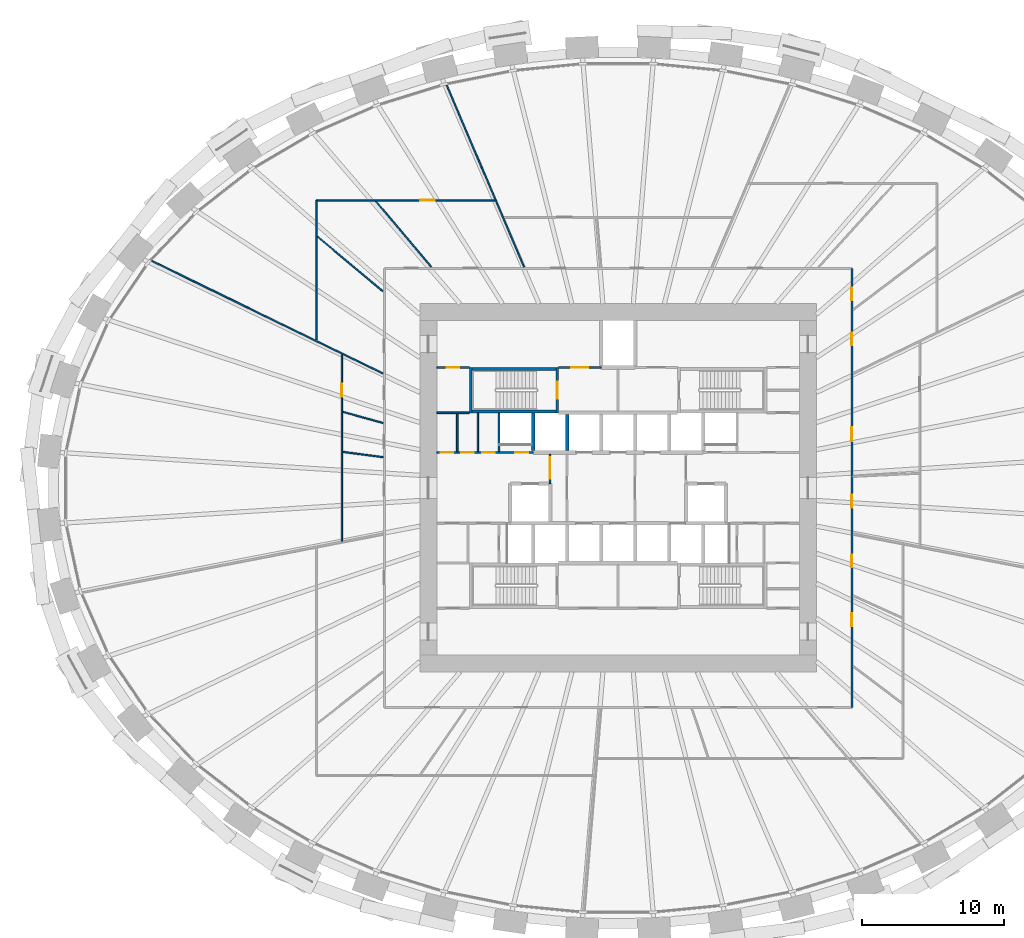
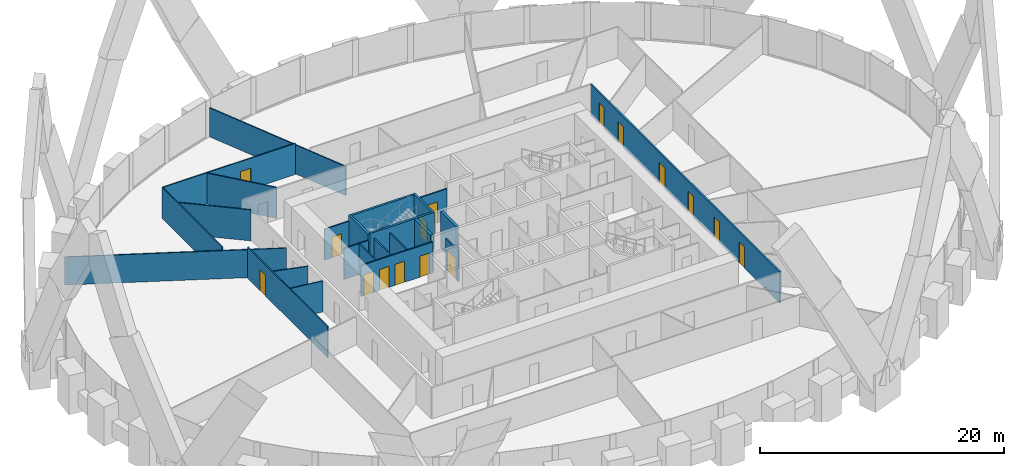
# One storey, part 9 of 13: 24 walls, 16 doors, 16 openings.
"""IFC4 building model written with IfcOpenShell, lengths in metres."""

from ifc_helpers import new_model, si_unit, direction, frame, frame_2d, origin, place, context, subcontext, project, spatial, rectangle, extrude, source, transform, mapped, material, layer, layer_set, type_object, element, fill, save


model = new_model("IFC4")

# Units and contexts
model_context = context("Model", 3, precision=1e-05, world=origin(), true_north=direction((0.0, 1.0)))
body_context = subcontext(model_context, "Body", "Model", "MODEL_VIEW")
ifc_project = project(units=[si_unit("LENGTHUNIT", "METRE"), si_unit("AREAUNIT", "SQUARE_METRE"), si_unit("VOLUMEUNIT", "CUBIC_METRE"), si_unit("PLANEANGLEUNIT", "RADIAN"), si_unit("MASSUNIT", "GRAM", prefix="KILO")], contexts=[model_context])

# Site, building, storey
site_placement = place(None, origin())
site = spatial("IfcSite", under=ifc_project, at=site_placement, CompositionType="ELEMENT")
building_placement = place(site_placement, origin())
building = spatial("IfcBuilding", under=site, at=building_placement, Name="Embergate Tower", CompositionType="ELEMENT")
storey_placement = place(building_placement, frame((0.0, 0.0, 105.5)))
storey = spatial("IfcBuildingStorey", under=building, at=storey_placement, Name="L22", CompositionType="ELEMENT", Elevation=105.5)

# Wall
ifc_material_1 = material(Name="Concrete C50", Category="concrete")
ifc_layer_1 = layer(ifc_material_1, 0.25)
ifc_layer_set_1 = layer_set([ifc_layer_1], Name="Concrete C50")
wall_type_1 = type_object("IfcWallType", Name="Hoistway wall reinforced concrete 250", PredefinedType="SHEAR", material=ifc_layer_set_1)
shared_shape_1 = source(origin(), body_context, "Body", "SweptSolid", [
    extrude(rectangle(XDim=2.675048828125, YDim=0.25, at=frame_2d((1.33740234375, 0.0))), origin(), (0.0, 0.0, 1.0), 3.699951171875),
])
wall_1_placement = place(storey_placement, frame((-6.0, 2.625, 0.0), z_axis=(0.0, 0.0, 1.0), x_axis=(0.0, 1.0, 0.0)))
element("IfcWall", 1, at=wall_1_placement, inside=storey, type_object=wall_type_1, Name="HW-1 wall", PredefinedType="SHEAR", context=body_context, shape_type="MappedRepresentation", body=[
    mapped(shared_shape_1, transform((0.0, 0.0, 0.0))),
])

# Wall, openings, doors
ifc_material_2 = material(Name="Core partition blockwork 120")
ifc_layer_2 = layer(ifc_material_2, 0.1201171875)
ifc_layer_set_2 = layer_set([ifc_layer_2], Name="Core partition blockwork 120")
wall_type_2 = type_object("IfcWallType", Name="Core partition blockwork 120", PredefinedType="PARTITIONING", material=ifc_layer_set_2)
shared_shape_2 = source(origin(), body_context, "Body", "SweptSolid", [
    extrude(rectangle(XDim=6.800048828125, YDim=0.1201171875, at=frame_2d((3.39990234375, 0.0))), origin(), (0.0, 0.0, 1.0), 3.10009765625),
])
wall_2_placement = place(storey_placement, frame((-12.800048828125, 2.5, 0.0), z_axis=(0.0, 0.0, 1.0), x_axis=(1.0, 0.0, 0.0)))
wall_2 = element("IfcWall", 2, at=wall_2_placement, inside=storey, type_object=wall_type_2, Name="IP-3 wall", PredefinedType="PARTITIONING", context=body_context, shape_type="MappedRepresentation", body=[
    mapped(shared_shape_2, transform((0.0, 0.0, 0.0))),
])
shared_shape_3 = source(origin(), body_context, "Body", "SweptSolid", [
    extrude(rectangle(XDim=0.89990234375, YDim=2.10009765625, at=frame_2d((0.449951171875, 1.050048828125))), frame((0.0, 0.070068359375, 0.0), z_axis=(0.0, -1.0, 0.0), x_axis=(1.0, 0.0, 0.0)), (0.0, 0.0, 1.0), 0.14013671875),
])
opening_1_placement = place(wall_2_placement, frame((5.550048828125, 0.0, 0.0)))
opening_1 = element("IfcOpeningElement", 3, at=opening_1_placement, cuts=wall_2, Name="Opening ID-1", PredefinedType="OPENING", context=body_context, shape_type="MappedRepresentation", body=[
    mapped(shared_shape_3, transform((0.0, 0.0, 0.0))),
])
opening_2_placement = place(wall_2_placement, frame((0.27587890625, 0.0, 0.0)))
opening_2 = element("IfcOpeningElement", 4, at=opening_2_placement, cuts=wall_2, Name="Opening ID-1", PredefinedType="OPENING", context=body_context, shape_type="MappedRepresentation", body=[
    mapped(shared_shape_3, transform((0.0, 0.0, 0.0))),
])
opening_3_placement = place(wall_2_placement, frame((1.72802734375, 0.0, 0.0)))
opening_3 = element("IfcOpeningElement", 5, at=opening_3_placement, cuts=wall_2, Name="Opening ID-1", PredefinedType="OPENING", context=body_context, shape_type="MappedRepresentation", body=[
    mapped(shared_shape_3, transform((0.0, 0.0, 0.0))),
])
opening_4_placement = place(wall_2_placement, frame((3.201904296875, 0.0, 0.0)))
opening_4 = element("IfcOpeningElement", 6, at=opening_4_placement, cuts=wall_2, Name="Opening ID-1", PredefinedType="OPENING", context=body_context, shape_type="MappedRepresentation", body=[
    mapped(shared_shape_3, transform((0.0, 0.0, 0.0))),
])
ifc_material_3 = material(Name="Interior door 900")
door_type_1 = type_object("IfcDoorType", Name="Interior door 900", OperationType="SINGLE_SWING_LEFT", PredefinedType="DOOR", material=ifc_material_3)
shared_shape_4 = source(origin(), body_context, "Body", "SweptSolid", [
    extrude(rectangle(XDim=0.89990234375, YDim=2.10009765625, at=frame_2d((0.449951171875, 1.050048828125))), frame((0.0, 0.02490234375, 0.0), z_axis=(0.0, -1.0, 0.0), x_axis=(1.0, 0.0, 0.0)), (0.0, 0.0, 1.0), 0.050048828125),
])
door_1_placement = place(opening_1_placement, origin())
door_1 = element("IfcDoor", 7, at=door_1_placement, inside=storey, type_object=door_type_1, Name="ID-1 door", OperationType="SINGLE_SWING_RIGHT", OverallHeight=2.10009765625, OverallWidth=0.89990234375, PredefinedType="DOOR", context=body_context, shape_type="MappedRepresentation", body=[
    mapped(shared_shape_4, transform((0.0, 0.0, 0.0))),
])
fill(opening_1, door_1)
door_2_placement = place(opening_2_placement, origin())
door_2 = element("IfcDoor", 8, at=door_2_placement, inside=storey, type_object=door_type_1, Name="ID-1 door", OperationType="SINGLE_SWING_RIGHT", OverallHeight=2.10009765625, OverallWidth=0.89990234375, PredefinedType="DOOR", context=body_context, shape_type="MappedRepresentation", body=[
    mapped(shared_shape_4, transform((0.0, 0.0, 0.0))),
])
fill(opening_2, door_2)
door_3_placement = place(opening_3_placement, origin())
door_3 = element("IfcDoor", 9, at=door_3_placement, inside=storey, type_object=door_type_1, Name="ID-1 door", OperationType="SINGLE_SWING_LEFT", OverallHeight=2.10009765625, OverallWidth=0.89990234375, PredefinedType="DOOR", context=body_context, shape_type="MappedRepresentation", body=[
    mapped(shared_shape_4, transform((0.0, 0.0, 0.0))),
])
fill(opening_3, door_3)
door_4_placement = place(opening_4_placement, origin())
door_4 = element("IfcDoor", 10, at=door_4_placement, inside=storey, type_object=door_type_1, Name="ID-1 door", OperationType="SINGLE_SWING_LEFT", OverallHeight=2.10009765625, OverallWidth=0.89990234375, PredefinedType="DOOR", context=body_context, shape_type="MappedRepresentation", body=[
    mapped(shared_shape_4, transform((0.0, 0.0, 0.0))),
])
fill(opening_4, door_4)

# Walls
ifc_layer_3 = layer(ifc_material_1, 0.199951171875)
ifc_layer_set_3 = layer_set([ifc_layer_3], Name="Concrete C50")
wall_type_3 = type_object("IfcWallType", Name="Stair enclosure wall reinforced concrete 250", PredefinedType="SHEAR", material=ifc_layer_set_3)
shared_shape_5 = source(origin(), body_context, "Body", "SweptSolid", [
    extrude(rectangle(XDim=6.300048828125, YDim=0.199951171875, at=frame_2d((3.14990234375, 0.0))), origin(), (0.0, 0.0, 1.0), 3.699951171875),
])
for number, where, z_axis, x_axis, name in (
    (11, (-4.199951171875, 5.39990234375, 0.0), (0.0, 0.0, 1.0), (-1.0, 0.0, 0.0), "SE-1 wall"),
    (12, (-4.199951171875, 8.39990234375, 0.0), (0.0, 0.0, 1.0), (-1.0, 0.0, 0.0), "SE-1 wall"),
):
    element("IfcWall", number, at=place(storey_placement, frame(where, z_axis=z_axis, x_axis=x_axis)), inside=storey, type_object=wall_type_3, Name=name, PredefinedType="SHEAR", context=body_context, shape_type="MappedRepresentation", body=[
        mapped(shared_shape_5, transform((0.0, 0.0, 0.0))),
    ])
shared_shape_6 = source(origin(), body_context, "Body", "SweptSolid", [
    extrude(rectangle(XDim=2.739990234375, YDim=0.1201171875, at=frame_2d((1.3701171875, 0.0))), origin(), (0.0, 0.0, 1.0), 3.10009765625),
])
for number, where, z_axis, x_axis, name in (
    (13, (-8.39990234375, 5.300048828125, 0.0), (0.0, 0.0, 1.0), (0.0, -1.0, 0.0), "IP-3 wall"),
    (14, (-9.89599609375, 2.56005859375, 0.0), (0.0, 0.0, 1.0), (0.0, 1.0, 0.0), "IP-3 wall"),
):
    element("IfcWall", number, at=place(storey_placement, frame(where, z_axis=z_axis, x_axis=x_axis)), inside=storey, type_object=wall_type_2, Name=name, PredefinedType="PARTITIONING", context=body_context, shape_type="MappedRepresentation", body=[
        mapped(shared_shape_6, transform((0.0, 0.0, 0.0))),
    ])
shared_shape_7 = source(origin(), body_context, "Body", "SweptSolid", [
    extrude(rectangle(XDim=2.550048828125, YDim=0.25, at=frame_2d((1.27490234375, 0.0))), origin(), (0.0, 0.0, 1.0), 3.699951171875),
])
wall_3_placement = place(storey_placement, frame((-3.60009765625, 2.625, 0.0), z_axis=(0.0, 0.0, 1.0), x_axis=(0.0, 1.0, 0.0)))
element("IfcWall", 15, at=wall_3_placement, inside=storey, type_object=wall_type_1, Name="HW-1 wall", PredefinedType="SHEAR", context=body_context, shape_type="MappedRepresentation", body=[
    mapped(shared_shape_7, transform((0.0, 0.0, 0.0))),
])

# Wall, opening, door
shared_shape_8 = source(origin(), body_context, "Body", "SweptSolid", [
    extrude(rectangle(XDim=2.074951171875, YDim=0.1201171875, at=frame_2d((1.03759765625, 0.0))), origin(), (0.0, 0.0, 1.0), 3.10009765625),
])
wall_4_placement = place(storey_placement, frame((-4.800048828125, 2.375, 0.0), z_axis=(0.0, 0.0, 1.0), x_axis=(0.0, -1.0, 0.0)))
wall_4 = element("IfcWall", 16, at=wall_4_placement, inside=storey, type_object=wall_type_2, Name="IP-3 wall", PredefinedType="PARTITIONING", context=body_context, shape_type="MappedRepresentation", body=[
    mapped(shared_shape_8, transform((0.0, 0.0, 0.0))),
])
shared_shape_9 = source(origin(), body_context, "Body", "SweptSolid", [
    extrude(rectangle(XDim=1.5, YDim=2.10009765625, at=frame_2d((0.75, 1.050048828125))), frame((0.0, 0.070068359375, 0.0), z_axis=(0.0, -1.0, 0.0), x_axis=(1.0, 0.0, 0.0)), (0.0, 0.0, 1.0), 0.14013671875),
])
opening_5_placement = place(wall_4_placement, frame((0.22509765625, 0.0, 0.0)))
opening_5 = element("IfcOpeningElement", 17, at=opening_5_placement, cuts=wall_4, Name="Opening IF-3", PredefinedType="OPENING", context=body_context, shape_type="MappedRepresentation", body=[
    mapped(shared_shape_9, transform((0.0, 0.0, 0.0))),
])
ifc_material_4 = material(Name="Lobby fire door pair 1500")
door_type_2 = type_object("IfcDoorType", Name="Lobby fire door pair 1500", OperationType="DOUBLE_DOOR_SINGLE_SWING", PredefinedType="DOOR", material=ifc_material_4)
shared_shape_10 = source(origin(), body_context, "Body", "SweptSolid", [
    extrude(rectangle(XDim=1.5, YDim=2.10009765625, at=frame_2d((0.75, 1.050048828125))), frame((0.0, 0.02490234375, 0.0), z_axis=(0.0, -1.0, 0.0), x_axis=(1.0, 0.0, 0.0)), (0.0, 0.0, 1.0), 0.050048828125),
])
door_5_placement = place(opening_5_placement, origin())
door_5 = element("IfcDoor", 18, at=door_5_placement, inside=storey, type_object=door_type_2, Name="IF-3 door", OperationType="DOUBLE_DOOR_SINGLE_SWING", OverallHeight=2.10009765625, OverallWidth=1.5, PredefinedType="DOOR", context=body_context, shape_type="MappedRepresentation", body=[
    mapped(shared_shape_10, transform((0.0, 0.0, 0.0))),
])
fill(opening_5, door_5)

shared_shape_11 = source(origin(), body_context, "Body", "SweptSolid", [
    extrude(rectangle(XDim=3.199951171875, YDim=0.199951171875, at=frame_2d((1.60009765625, 0.0))), origin(), (0.0, 0.0, 1.0), 3.699951171875),
])
wall_5_placement = place(storey_placement, frame((-4.300048828125, 5.300048828125, 0.0), z_axis=(0.0, 0.0, 1.0), x_axis=(0.0, 1.0, 0.0)))
wall_5 = element("IfcWall", 19, at=wall_5_placement, inside=storey, type_object=wall_type_3, Name="SE-1 wall", PredefinedType="SHEAR", context=body_context, shape_type="MappedRepresentation", body=[
    mapped(shared_shape_11, transform((0.0, 0.0, 0.0))),
])
shared_shape_12 = source(origin(), body_context, "Body", "SweptSolid", [
    extrude(rectangle(XDim=1.199951171875, YDim=2.10009765625, at=frame_2d((0.60009765625, 1.050048828125))), frame((0.0, 0.10986328125, 0.0), z_axis=(0.0, -1.0, 0.0), x_axis=(1.0, 0.0, 0.0)), (0.0, 0.0, 1.0), 0.219970703125),
])
opening_6_placement = place(wall_5_placement, frame((1.0, 0.0, 0.0)))
opening_6 = element("IfcOpeningElement", 20, at=opening_6_placement, cuts=wall_5, Name="Opening IF-2", PredefinedType="OPENING", context=body_context, shape_type="MappedRepresentation", body=[
    mapped(shared_shape_12, transform((0.0, 0.0, 0.0))),
])
ifc_material_5 = material(Name="Stair enclosure door 1200")
door_type_3 = type_object("IfcDoorType", Name="Stair enclosure door 1200", OperationType="SINGLE_SWING_LEFT", PredefinedType="DOOR", material=ifc_material_5)
shared_shape_13 = source(origin(), body_context, "Body", "SweptSolid", [
    extrude(rectangle(XDim=1.199951171875, YDim=2.10009765625, at=frame_2d((0.60009765625, 1.050048828125))), frame((0.0, 0.02490234375, 0.0), z_axis=(0.0, -1.0, 0.0), x_axis=(1.0, 0.0, 0.0)), (0.0, 0.0, 1.0), 0.050048828125),
])
door_6_placement = place(opening_6_placement, origin())
door_6 = element("IfcDoor", 21, at=door_6_placement, inside=storey, type_object=door_type_3, Name="IF-2 door", OperationType="SINGLE_SWING_RIGHT", OverallHeight=2.10009765625, OverallWidth=1.199951171875, PredefinedType="DOOR", context=body_context, shape_type="MappedRepresentation", body=[
    mapped(shared_shape_13, transform((0.0, 0.0, 0.0))),
])
fill(opening_6, door_6)

# Wall
wall_6_placement = place(storey_placement, frame((-10.39990234375, 8.5, 0.0), z_axis=(0.0, 0.0, 1.0), x_axis=(0.0, -1.0, 0.0)))
element("IfcWall", 22, at=wall_6_placement, inside=storey, type_object=wall_type_3, Name="SE-1 wall", PredefinedType="SHEAR", context=body_context, shape_type="MappedRepresentation", body=[
    mapped(shared_shape_11, transform((0.0, 0.0, 0.0))),
])

# Wall, opening, door
shared_shape_14 = source(origin(), body_context, "Body", "SweptSolid", [
    extrude(rectangle(XDim=3.0, YDim=0.1201171875, at=frame_2d((1.5, 0.0))), origin(), (0.0, 0.0, 1.0), 3.10009765625),
])
wall_7_placement = place(storey_placement, frame((-1.199951171875, 8.5, 0.0), z_axis=(0.0, 0.0, 1.0), x_axis=(-1.0, 0.0, 0.0)))
wall_7 = element("IfcWall", 23, at=wall_7_placement, inside=storey, type_object=wall_type_2, Name="IP-3 wall", PredefinedType="PARTITIONING", context=body_context, shape_type="MappedRepresentation", body=[
    mapped(shared_shape_14, transform((0.0, 0.0, 0.0))),
])
shared_shape_15 = source(origin(), body_context, "Body", "SweptSolid", [
    extrude(rectangle(XDim=1.199951171875, YDim=2.10009765625, at=frame_2d((0.60009765625, 1.050048828125))), frame((0.0, 0.070068359375, 0.0), z_axis=(0.0, -1.0, 0.0), x_axis=(1.0, 0.0, 0.0)), (0.0, 0.0, 1.0), 0.14013671875),
])
opening_7_placement = place(wall_7_placement, frame((0.89990234375, 0.0, 0.0)))
opening_7 = element("IfcOpeningElement", 24, at=opening_7_placement, cuts=wall_7, Name="Opening IF-3f", PredefinedType="OPENING", context=body_context, shape_type="MappedRepresentation", body=[
    mapped(shared_shape_15, transform((0.0, 0.0, 0.0))),
])
ifc_material_6 = material(Name="Lobby fire door pair 1200")
door_type_4 = type_object("IfcDoorType", Name="Lobby fire door pair 1200", OperationType="DOUBLE_DOOR_SINGLE_SWING", PredefinedType="DOOR", material=ifc_material_6)
door_7_placement = place(opening_7_placement, origin())
door_7 = element("IfcDoor", 25, at=door_7_placement, inside=storey, type_object=door_type_4, Name="IF-3 door", OperationType="DOUBLE_DOOR_SINGLE_SWING", OverallHeight=2.10009765625, OverallWidth=1.199951171875, PredefinedType="DOOR", context=body_context, shape_type="MappedRepresentation", body=[
    mapped(shared_shape_13, transform((0.0, 0.0, 0.0))),
])
fill(opening_7, door_7)

shared_shape_16 = source(origin(), body_context, "Body", "SweptSolid", [
    extrude(rectangle(XDim=2.300048828125, YDim=0.1201171875, at=frame_2d((1.14990234375, 0.0))), origin(), (0.0, 0.0, 1.0), 3.10009765625),
])
wall_8_placement = place(storey_placement, frame((-12.800048828125, 8.5, 0.0), z_axis=(0.0, 0.0, 1.0), x_axis=(1.0, 0.0, 0.0)))
wall_8 = element("IfcWall", 26, at=wall_8_placement, inside=storey, type_object=wall_type_2, Name="IP-3 wall", PredefinedType="PARTITIONING", context=body_context, shape_type="MappedRepresentation", body=[
    mapped(shared_shape_16, transform((0.0, 0.0, 0.0))),
])
opening_8_placement = place(wall_8_placement, frame((0.699951171875, 0.0, 0.0)))
opening_8 = element("IfcOpeningElement", 27, at=opening_8_placement, cuts=wall_8, Name="Opening ID-1", PredefinedType="OPENING", context=body_context, shape_type="MappedRepresentation", body=[
    mapped(shared_shape_3, transform((0.0, 0.0, 0.0))),
])
door_8_placement = place(opening_8_placement, origin())
door_8 = element("IfcDoor", 28, at=door_8_placement, inside=storey, type_object=door_type_1, Name="ID-1 door", OperationType="SINGLE_SWING_RIGHT", OverallHeight=2.10009765625, OverallWidth=0.89990234375, PredefinedType="DOOR", context=body_context, shape_type="MappedRepresentation", body=[
    mapped(shared_shape_4, transform((0.0, 0.0, 0.0))),
])
fill(opening_8, door_8)

# Walls
wall_9_placement = place(storey_placement, frame((-10.5, 5.300048828125, 0.0), z_axis=(0.0, 0.0, 1.0), x_axis=(-1.0, 0.0, 0.0)))
element("IfcWall", 29, at=wall_9_placement, inside=storey, type_object=wall_type_2, Name="IP-3 wall", PredefinedType="PARTITIONING", context=body_context, shape_type="MappedRepresentation", body=[
    mapped(shared_shape_16, transform((0.0, 0.0, 0.0))),
])
shared_shape_17 = source(origin(), body_context, "Body", "SweptSolid", [
    extrude(rectangle(XDim=2.679931640625, YDim=0.1201171875, at=frame_2d((1.33984375, 0.0))), origin(), (0.0, 0.0, 1.0), 3.10009765625),
])
wall_10_placement = place(storey_placement, frame((-11.347900390625, 2.56005859375, 0.0), z_axis=(0.0, 0.0, 1.0), x_axis=(0.0, 1.0, 0.0)))
element("IfcWall", 30, at=wall_10_placement, inside=storey, type_object=wall_type_2, Name="IP-3 wall", PredefinedType="PARTITIONING", context=body_context, shape_type="MappedRepresentation", body=[
    mapped(shared_shape_17, transform((0.0, 0.0, 0.0))),
])

# Wall, openings, doors
ifc_material_7 = material(Name="Corridor wall dry-lined 150")
ifc_layer_4 = layer(ifc_material_7, 0.14990234375)
ifc_layer_set_4 = layer_set([ifc_layer_4], Name="Corridor wall dry-lined 150")
wall_type_4 = type_object("IfcWallType", Name="Corridor wall dry-lined 150", PredefinedType="PARTITIONING", material=ifc_layer_set_4)
shared_shape_18 = source(origin(), body_context, "Body", "SweptSolid", [
    extrude(rectangle(XDim=31.0, YDim=0.14990234375, at=frame_2d((15.5, 0.0))), origin(), (0.0, 0.0, 1.0), 3.10009765625),
])
wall_11_placement = place(storey_placement, frame((16.5, 15.5, 0.0), z_axis=(0.0, 0.0, 1.0), x_axis=(0.0, -1.0, 0.0)))
wall_11 = element("IfcWall", 31, at=wall_11_placement, inside=storey, type_object=wall_type_4, Name="IP-2 wall", PredefinedType="PARTITIONING", context=body_context, shape_type="MappedRepresentation", body=[
    mapped(shared_shape_18, transform((0.0, 0.0, 0.0))),
])
shared_shape_19 = source(origin(), body_context, "Body", "SweptSolid", [
    extrude(rectangle(XDim=0.89990234375, YDim=2.10009765625, at=frame_2d((0.449951171875, 1.050048828125))), frame((0.0, 0.0849609375, 0.0), z_axis=(0.0, -1.0, 0.0), x_axis=(1.0, 0.0, 0.0)), (0.0, 0.0, 1.0), 0.169921875),
])
opening_9_placement = place(wall_11_placement, frame((24.35888671875, 0.0, 0.0)))
opening_9 = element("IfcOpeningElement", 32, at=opening_9_placement, cuts=wall_11, Name="Opening IF-1c", PredefinedType="OPENING", context=body_context, shape_type="MappedRepresentation", body=[
    mapped(shared_shape_19, transform((0.0, 0.0, 0.0))),
])
opening_10_placement = place(wall_11_placement, frame((20.212890625, 0.0, 0.0)))
opening_10 = element("IfcOpeningElement", 33, at=opening_10_placement, cuts=wall_11, Name="Opening IF-1c", PredefinedType="OPENING", context=body_context, shape_type="MappedRepresentation", body=[
    mapped(shared_shape_19, transform((0.0, 0.0, 0.0))),
])
opening_11_placement = place(wall_11_placement, frame((15.98388671875, 0.0, 0.0)))
opening_11 = element("IfcOpeningElement", 34, at=opening_11_placement, cuts=wall_11, Name="Opening IF-1c", PredefinedType="OPENING", context=body_context, shape_type="MappedRepresentation", body=[
    mapped(shared_shape_19, transform((0.0, 0.0, 0.0))),
])
shared_shape_20 = source(origin(), body_context, "Body", "SweptSolid", [
    extrude(rectangle(XDim=1.0, YDim=2.10009765625, at=frame_2d((0.5, 1.050048828125))), frame((0.0, 0.0849609375, 0.0), z_axis=(0.0, -1.0, 0.0), x_axis=(1.0, 0.0, 0.0)), (0.0, 0.0, 1.0), 0.169921875),
])
opening_12_placement = place(wall_11_placement, frame((11.202880859375, 0.0, 0.0)))
opening_12 = element("IfcOpeningElement", 35, at=opening_12_placement, cuts=wall_11, Name="Opening ID-2", PredefinedType="OPENING", context=body_context, shape_type="MappedRepresentation", body=[
    mapped(shared_shape_20, transform((0.0, 0.0, 0.0))),
])
opening_13_placement = place(wall_11_placement, frame((4.547119140625, 0.0, 0.0)))
opening_13 = element("IfcOpeningElement", 36, at=opening_13_placement, cuts=wall_11, Name="Opening IF-1c", PredefinedType="OPENING", context=body_context, shape_type="MappedRepresentation", body=[
    mapped(shared_shape_19, transform((0.0, 0.0, 0.0))),
])
opening_14_placement = place(wall_11_placement, frame((1.365966796875, 0.0, 0.0)))
opening_14 = element("IfcOpeningElement", 37, at=opening_14_placement, cuts=wall_11, Name="Opening IF-1c", PredefinedType="OPENING", context=body_context, shape_type="MappedRepresentation", body=[
    mapped(shared_shape_19, transform((0.0, 0.0, 0.0))),
])
ifc_material_8 = material(Name="Escape fire door 900")
door_type_5 = type_object("IfcDoorType", Name="Escape fire door 900", OperationType="SINGLE_SWING_LEFT", PredefinedType="DOOR", material=ifc_material_8)
door_9_placement = place(opening_9_placement, origin())
door_9 = element("IfcDoor", 38, at=door_9_placement, inside=storey, type_object=door_type_5, Name="IF-1 door", OperationType="SINGLE_SWING_RIGHT", OverallHeight=2.10009765625, OverallWidth=0.89990234375, PredefinedType="DOOR", context=body_context, shape_type="MappedRepresentation", body=[
    mapped(shared_shape_4, transform((0.0, 0.0, 0.0))),
])
fill(opening_9, door_9)
door_10_placement = place(opening_10_placement, origin())
door_10 = element("IfcDoor", 39, at=door_10_placement, inside=storey, type_object=door_type_5, Name="IF-1 door", OperationType="SINGLE_SWING_RIGHT", OverallHeight=2.10009765625, OverallWidth=0.89990234375, PredefinedType="DOOR", context=body_context, shape_type="MappedRepresentation", body=[
    mapped(shared_shape_4, transform((0.0, 0.0, 0.0))),
])
fill(opening_10, door_10)
door_11_placement = place(opening_11_placement, origin())
door_11 = element("IfcDoor", 40, at=door_11_placement, inside=storey, type_object=door_type_5, Name="IF-1 door", OperationType="SINGLE_SWING_LEFT", OverallHeight=2.10009765625, OverallWidth=0.89990234375, PredefinedType="DOOR", context=body_context, shape_type="MappedRepresentation", body=[
    mapped(shared_shape_4, transform((0.0, 0.0, 0.0))),
])
fill(opening_11, door_11)
door_12_placement = place(opening_13_placement, origin())
door_12 = element("IfcDoor", 41, at=door_12_placement, inside=storey, type_object=door_type_5, Name="IF-1 door", OperationType="SINGLE_SWING_RIGHT", OverallHeight=2.10009765625, OverallWidth=0.89990234375, PredefinedType="DOOR", context=body_context, shape_type="MappedRepresentation", body=[
    mapped(shared_shape_4, transform((0.0, 0.0, 0.0))),
])
fill(opening_13, door_12)
door_13_placement = place(opening_14_placement, origin())
door_13 = element("IfcDoor", 42, at=door_13_placement, inside=storey, type_object=door_type_5, Name="IF-1 door", OperationType="SINGLE_SWING_RIGHT", OverallHeight=2.10009765625, OverallWidth=0.89990234375, PredefinedType="DOOR", context=body_context, shape_type="MappedRepresentation", body=[
    mapped(shared_shape_4, transform((0.0, 0.0, 0.0))),
])
fill(opening_14, door_13)
ifc_material_9 = material(Name="Interior door 1000")
door_type_6 = type_object("IfcDoorType", Name="Interior door 1000", OperationType="SINGLE_SWING_LEFT", PredefinedType="DOOR", material=ifc_material_9)
shared_shape_21 = source(origin(), body_context, "Body", "SweptSolid", [
    extrude(rectangle(XDim=1.0, YDim=2.10009765625, at=frame_2d((0.5, 1.050048828125))), frame((0.0, 0.02490234375, 0.0), z_axis=(0.0, -1.0, 0.0), x_axis=(1.0, 0.0, 0.0)), (0.0, 0.0, 1.0), 0.050048828125),
])
door_14_placement = place(opening_12_placement, origin())
door_14 = element("IfcDoor", 43, at=door_14_placement, inside=storey, type_object=door_type_6, Name="ID-2 door", OperationType="SINGLE_SWING_LEFT", OverallHeight=2.10009765625, OverallWidth=1.0, PredefinedType="DOOR", context=body_context, shape_type="MappedRepresentation", body=[
    mapped(shared_shape_21, transform((0.0, 0.0, 0.0))),
])
fill(opening_12, door_14)

# Walls
ifc_material_10 = material(Name="Partition dry-lined 100 wet")
ifc_layer_5 = layer(ifc_material_10, 0.10009765625)
ifc_layer_set_5 = layer_set([ifc_layer_5], Name="Partition dry-lined 100 wet")
wall_type_5 = type_object("IfcWallType", Name="Partition dry-lined 100 wet", PredefinedType="PLUMBINGWALL", material=ifc_layer_set_5)
shared_shape_22 = source(origin(), body_context, "Body", "SweptSolid", [
    extrude(rectangle(XDim=18.260986328125, YDim=0.10009765625, at=frame_2d((9.13037109375, 0.0))), origin(), (0.0, 0.0, 1.0), 2.800048828125),
])
wall_12_placement = place(storey_placement, frame((-33.01611328125, 16.070068359375, 0.0), z_axis=(0.0, 0.0, 1.0), x_axis=(0.89913869284, -0.437663810519, 0.0)))
element("IfcWall", 44, at=wall_12_placement, inside=storey, type_object=wall_type_5, Name="IP-1 wall", PredefinedType="PLUMBINGWALL", context=body_context, shape_type="MappedRepresentation", body=[
    mapped(shared_shape_22, transform((0.0, 0.0, 0.0))),
])
ifc_material_11 = material(Name="Partition dry-lined 100")
ifc_layer_6 = layer(ifc_material_11, 0.10009765625)
ifc_layer_set_6 = layer_set([ifc_layer_6], Name="Partition dry-lined 100")
wall_type_6 = type_object("IfcWallType", Name="Partition dry-lined 100", PredefinedType="PARTITIONING", material=ifc_layer_set_6)
shared_shape_23 = source(origin(), body_context, "Body", "SweptSolid", [
    extrude(rectangle(XDim=14.038818359375, YDim=0.10009765625, at=frame_2d((7.01953125, 0.0))), origin(), (0.0, 0.0, 1.0), 2.89990234375),
])
wall_13_placement = place(storey_placement, frame((-12.133056640625, 28.512939453125, 0.0), z_axis=(0.0, 0.0, 1.0), x_axis=(0.391558923428, -0.920153035904, 0.0)))
element("IfcWall", 45, at=wall_13_placement, inside=storey, type_object=wall_type_6, Name="IP-1 wall", PredefinedType="PARTITIONING", context=body_context, shape_type="MappedRepresentation", body=[
    mapped(shared_shape_23, transform((0.0, 0.0, 0.0))),
])
shared_shape_24 = source(origin(), body_context, "Body", "SweptSolid", [
    extrude(rectangle(XDim=6.037841796875, YDim=0.10009765625, at=frame_2d((3.01904296875, 0.0))), origin(), (0.0, 0.0, 1.0), 3.10009765625),
])
wall_14_placement = place(storey_placement, frame((-13.195068359375, 15.60693359375, 0.0), z_axis=(0.0, 0.0, 1.0), x_axis=(-0.645581463366, 0.763691412914, 0.0)))
element("IfcWall", 46, at=wall_14_placement, inside=storey, type_object=wall_type_6, Name="IP-1 wall", PredefinedType="PARTITIONING", context=body_context, shape_type="MappedRepresentation", body=[
    mapped(shared_shape_24, transform((0.0, 0.0, 0.0))),
])

# Wall, opening, door
shared_shape_25 = source(origin(), body_context, "Body", "SweptSolid", [
    extrude(rectangle(XDim=12.5859375, YDim=0.10009765625, at=frame_2d((6.29296875, 0.0))), origin(), (0.0, 0.0, 1.0), 3.10009765625),
])
wall_15_placement = place(storey_placement, frame((-21.300048828125, 20.300048828125, 0.0), z_axis=(0.0, 0.0, 1.0), x_axis=(1.0, 0.0, 0.0)))
wall_15 = element("IfcWall", 47, at=wall_15_placement, inside=storey, type_object=wall_type_6, Name="IP-1 wall", PredefinedType="PARTITIONING", context=body_context, shape_type="MappedRepresentation", body=[
    mapped(shared_shape_25, transform((0.0, 0.0, 0.0))),
])
shared_shape_26 = source(origin(), body_context, "Body", "SweptSolid", [
    extrude(rectangle(XDim=1.0, YDim=2.10009765625, at=frame_2d((0.5, 1.050048828125))), frame((0.0, 0.06005859375, 0.0), z_axis=(0.0, -1.0, 0.0), x_axis=(1.0, 0.0, 0.0)), (0.0, 0.0, 1.0), 0.1201171875),
])
opening_15_placement = place(wall_15_placement, frame((7.345947265625, 0.0, 0.0)))
opening_15 = element("IfcOpeningElement", 48, at=opening_15_placement, cuts=wall_15, Name="Opening ID-2", PredefinedType="OPENING", context=body_context, shape_type="MappedRepresentation", body=[
    mapped(shared_shape_26, transform((0.0, 0.0, 0.0))),
])
door_15_placement = place(opening_15_placement, origin())
door_15 = element("IfcDoor", 49, at=door_15_placement, inside=storey, type_object=door_type_6, Name="ID-2 door", OperationType="SINGLE_SWING_LEFT", OverallHeight=2.10009765625, OverallWidth=1.0, PredefinedType="DOOR", context=body_context, shape_type="MappedRepresentation", body=[
    mapped(shared_shape_21, transform((0.0, 0.0, 0.0))),
])
fill(opening_15, door_15)

# Walls
shared_shape_27 = source(origin(), body_context, "Body", "SweptSolid", [
    extrude(rectangle(XDim=6.01025390625, YDim=0.10009765625, at=frame_2d((3.005126953125, 0.0))), origin(), (0.0, 0.0, 1.0), 3.10009765625),
])
wall_16_placement = place(storey_placement, frame((-16.60693359375, 13.884033203125, 0.0), z_axis=(0.0, 0.0, 1.0), x_axis=(-0.767204793389, 0.641402217801, 0.0)))
element("IfcWall", 50, at=wall_16_placement, inside=storey, type_object=wall_type_6, Name="IP-1 wall", PredefinedType="PARTITIONING", context=body_context, shape_type="MappedRepresentation", body=[
    mapped(shared_shape_27, transform((0.0, 0.0, 0.0))),
])
shared_shape_28 = source(origin(), body_context, "Body", "SweptSolid", [
    extrude(rectangle(XDim=9.85302734375, YDim=0.10009765625, at=frame_2d((4.926513671875, 0.0))), origin(), (0.0, 0.0, 1.0), 3.10009765625),
])
wall_17_placement = place(storey_placement, frame((-21.300048828125, 10.447021484375, 0.0), z_axis=(0.0, 0.0, 1.0), x_axis=(0.0, 1.0, 0.0)))
element("IfcWall", 51, at=wall_17_placement, inside=storey, type_object=wall_type_6, Name="IP-1 wall", PredefinedType="PARTITIONING", context=body_context, shape_type="MappedRepresentation", body=[
    mapped(shared_shape_28, transform((0.0, 0.0, 0.0))),
])
shared_shape_29 = source(origin(), body_context, "Body", "SweptSolid", [
    extrude(rectangle(XDim=2.955810546875, YDim=0.10009765625, at=frame_2d((1.47802734375, 0.0))), origin(), (0.0, 0.0, 1.0), 3.10009765625),
])
wall_18_placement = place(storey_placement, frame((-16.587890625, 4.5830078125, 0.0), z_axis=(0.0, 0.0, 1.0), x_axis=(-0.963893253483, 0.266288933096, 0.0)))
element("IfcWall", 52, at=wall_18_placement, inside=storey, type_object=wall_type_5, Name="IP-1 wall", PredefinedType="PLUMBINGWALL", context=body_context, shape_type="MappedRepresentation", body=[
    mapped(shared_shape_29, transform((0.0, 0.0, 0.0))),
])

# Wall, opening, door
shared_shape_30 = source(origin(), body_context, "Body", "SweptSolid", [
    extrude(rectangle(XDim=13.16015625, YDim=0.10009765625, at=frame_2d((6.580078125, 0.0))), origin(), (0.0, 0.0, 1.0), 3.10009765625),
])
wall_19_placement = place(storey_placement, frame((-19.5, 9.412109375, 0.0), z_axis=(0.0, 0.0, 1.0), x_axis=(0.0, -1.0, 0.0)))
wall_19 = element("IfcWall", 53, at=wall_19_placement, inside=storey, type_object=wall_type_5, Name="IP-1 wall", PredefinedType="PLUMBINGWALL", context=body_context, shape_type="MappedRepresentation", body=[
    mapped(shared_shape_30, transform((0.0, 0.0, 0.0))),
])
shared_shape_31 = source(origin(), body_context, "Body", "SweptSolid", [
    extrude(rectangle(XDim=0.89990234375, YDim=2.10009765625, at=frame_2d((0.449951171875, 1.050048828125))), frame((0.0, 0.06005859375, 0.0), z_axis=(0.0, -1.0, 0.0), x_axis=(1.0, 0.0, 0.0)), (0.0, 0.0, 1.0), 0.1201171875),
])
opening_16_placement = place(wall_19_placement, frame((2.069580078125, 0.0, 0.0)))
opening_16 = element("IfcOpeningElement", 54, at=opening_16_placement, cuts=wall_19, Name="Opening ID-1", PredefinedType="OPENING", context=body_context, shape_type="MappedRepresentation", body=[
    mapped(shared_shape_31, transform((0.0, 0.0, 0.0))),
])
door_16_placement = place(opening_16_placement, origin())
door_16 = element("IfcDoor", 55, at=door_16_placement, inside=storey, type_object=door_type_1, Name="ID-1 door", OperationType="SINGLE_SWING_RIGHT", OverallHeight=2.10009765625, OverallWidth=0.89990234375, PredefinedType="DOOR", context=body_context, shape_type="MappedRepresentation", body=[
    mapped(shared_shape_4, transform((0.0, 0.0, 0.0))),
])
fill(opening_16, door_16)

# Wall
shared_shape_32 = source(origin(), body_context, "Body", "SweptSolid", [
    extrude(rectangle(XDim=2.887451171875, YDim=0.10009765625, at=frame_2d((1.44384765625, 0.0))), origin(), (0.0, 0.0, 1.0), 3.10009765625),
])
wall_20_placement = place(storey_placement, frame((-16.5810546875, 2.16796875, 0.0), z_axis=(0.0, 0.0, 1.0), x_axis=(-0.991530962051, 0.129870517414, 0.0)))
element("IfcWall", 56, at=wall_20_placement, inside=storey, type_object=wall_type_5, Name="IP-1 wall", PredefinedType="PLUMBINGWALL", context=body_context, shape_type="MappedRepresentation", body=[
    mapped(shared_shape_32, transform((0.0, 0.0, 0.0))),
])

save(model, "model.ifc")
